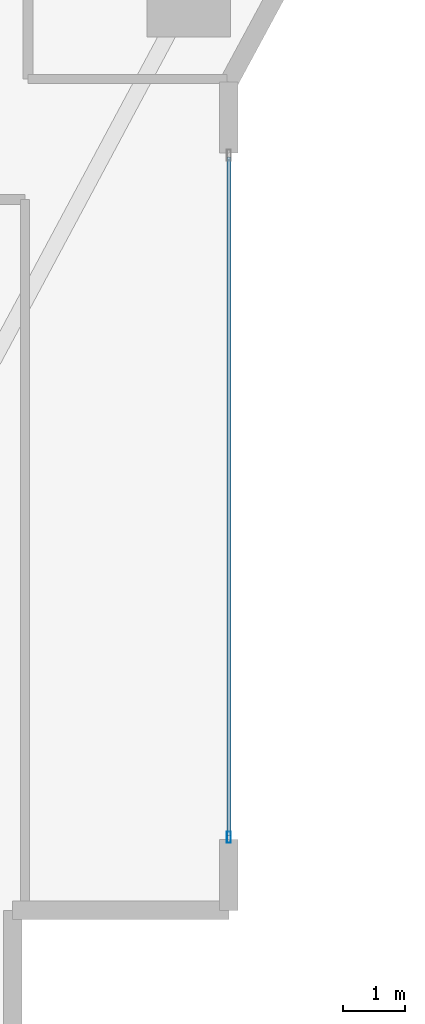
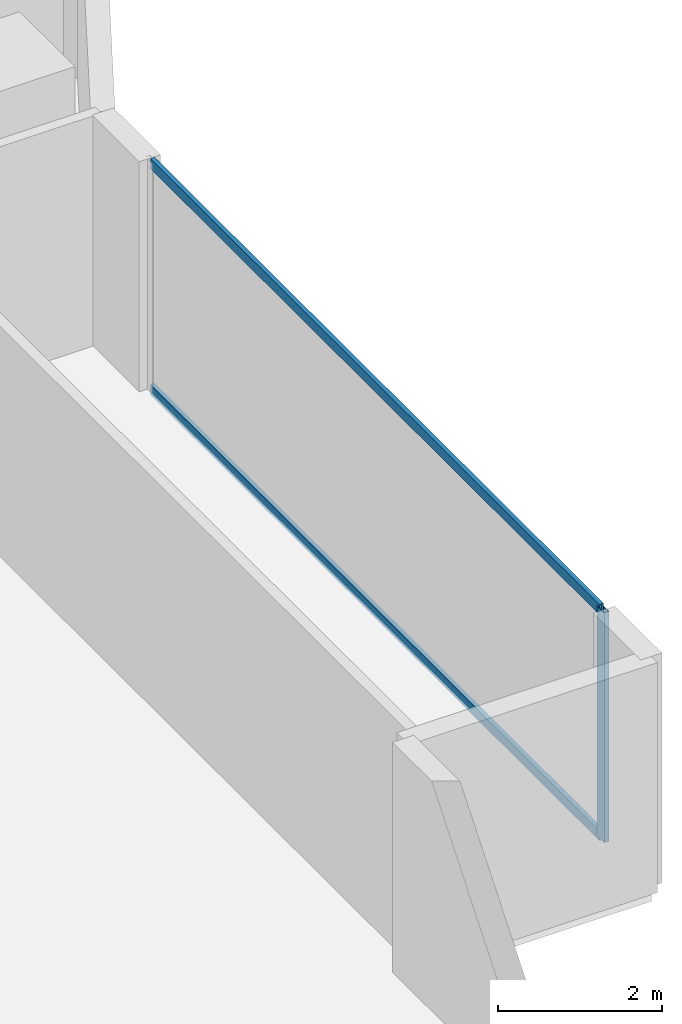
# One storey, part 11 of 28: 3 members, 1 element without a shape of its own.
"""IFC4 building model written with IfcOpenShell, lengths in metres."""

from ifc_helpers import new_model, si_unit, direction, frame, origin, origin_2d, place, context, subcontext, project, spatial, hollow_rectangle, extrude, material, layer, layer_set, material_profile, profile_set, type_object, element, aggregate, save


model = new_model("IFC4")

# Units and contexts
model_context = context("Model", 3, precision=1e-05, world=origin(), true_north=direction((0.0, 1.0)))
body_context = subcontext(model_context, "Body", "Model", "MODEL_VIEW")
ifc_project = project(units=[si_unit("LENGTHUNIT", "METRE"), si_unit("AREAUNIT", "SQUARE_METRE"), si_unit("VOLUMEUNIT", "CUBIC_METRE"), si_unit("PLANEANGLEUNIT", "RADIAN"), si_unit("MASSUNIT", "GRAM", prefix="KILO")], contexts=[model_context])

# Site, building, storey
site_placement = place(None, origin())
site = spatial("IfcSite", under=ifc_project, at=site_placement, CompositionType="ELEMENT")
building_placement = place(site_placement, origin())
building = spatial("IfcBuilding", under=site, at=building_placement, Name="Zuhayl Quay Hotel", CompositionType="ELEMENT")
storey_placement = place(building_placement, frame((0.0, 0.0, 139.449951171875)))
storey = spatial("IfcBuildingStorey", under=building, at=storey_placement, Name="L35", CompositionType="ELEMENT", Elevation=139.449951171875)

# Curtain wall, members
ifc_material_1 = material(Name="Anodised Aluminium 6063-T6", Category="aluminium")
ifc_layer = layer(ifc_material_1, 0.179931640625, Name="Anodised Aluminium 6063-T6", Category="aluminium")
ifc_layer_set = layer_set([ifc_layer], Name="Anodised Aluminium 6063-T6")
curtain_wall_type = type_object("IfcCurtainWallType", Name="CW_SYS_Z2", PredefinedType="USERDEFINED", material=ifc_layer_set)
curtain_wall_placement = place(storey_placement, origin())
curtain_wall = element("IfcCurtainWall", 1, at=curtain_wall_placement, inside=storey, type_object=curtain_wall_type, Name="L35 Curtain Wall ENV_L35_E14_CW1", ObjectType="UNITISED CURTAIN WALL", PredefinedType="USERDEFINED")
ifc_material_2 = material(Name="Black-anodised aluminium 6063-T6", Category="aluminium")
ifc_material_profile_1 = material_profile(ifc_material_2, hollow_rectangle(XDim=0.06494140625, YDim=0.179931640625, WallThickness=0.00341796875, at=origin_2d()), Name="ALU180X65")
ifc_profile_set_1 = profile_set([ifc_material_profile_1], Name="Black-anodised aluminium 6063-T6")
member_type_1 = type_object("IfcMemberType", Name="MB_CW_MUL_180", PredefinedType="MULLION", material=ifc_profile_set_1)
member_1_placement = place(storey_placement, frame((23.89990234375, -10.717529296875, 0.0), z_axis=(0.0, 0.0, 1.0), x_axis=(1.0, 0.0, 0.0)))
member_1 = element("IfcMember", 2, at=member_1_placement, type_object=member_type_1, Name="CW-Z2 mullion 2", PredefinedType="MULLION", context=body_context, shape_type="SweptSolid", body=[
    extrude(hollow_rectangle(XDim=0.06494140625, YDim=0.179931640625, WallThickness=0.00341796875, at=origin_2d()), origin(), (0.0, 0.0, 1.0), 3.429931640625),
])
ifc_material_profile_2 = material_profile(ifc_material_2, hollow_rectangle(XDim=0.06005859375, YDim=0.14990234375, WallThickness=0.00341796875, at=origin_2d()), Name="ALU150X60")
ifc_profile_set_2 = profile_set([ifc_material_profile_2], Name="Black-anodised aluminium 6063-T6")
member_type_2 = type_object("IfcMemberType", Name="MB_CW_TRN_150", PredefinedType="USERDEFINED", material=ifc_profile_set_2)
member_2_placement = place(storey_placement, frame((23.89990234375, 0.284912109375, 0.030029296875), z_axis=(0.0, -1.0, 0.0), x_axis=(1.0, 0.0, 0.0)))
member_2 = element("IfcMember", 3, at=member_2_placement, type_object=member_type_2, Name="CW-Z2 transom 1.1", ObjectType="TRANSOM", PredefinedType="USERDEFINED", context=body_context, shape_type="SweptSolid", body=[
    extrude(hollow_rectangle(XDim=0.06005859375, YDim=0.14990234375, WallThickness=0.00341796875, at=origin_2d()), origin(), (0.0, 0.0, 1.0), 10.969970703125),
])
member_3_placement = place(storey_placement, frame((23.89990234375, 0.284912109375, 3.400146484375), z_axis=(0.0, -1.0, 0.0), x_axis=(1.0, 0.0, 0.0)))
member_3 = element("IfcMember", 4, at=member_3_placement, type_object=member_type_2, Name="CW-Z2 transom 1.2", ObjectType="TRANSOM", PredefinedType="USERDEFINED", context=body_context, shape_type="SweptSolid", body=[
    extrude(hollow_rectangle(XDim=0.06005859375, YDim=0.14990234375, WallThickness=0.00341796875, at=origin_2d()), origin(), (0.0, 0.0, 1.0), 10.969970703125),
])
aggregate(curtain_wall, [member_1, member_2, member_3])

save(model, "model.ifc")
